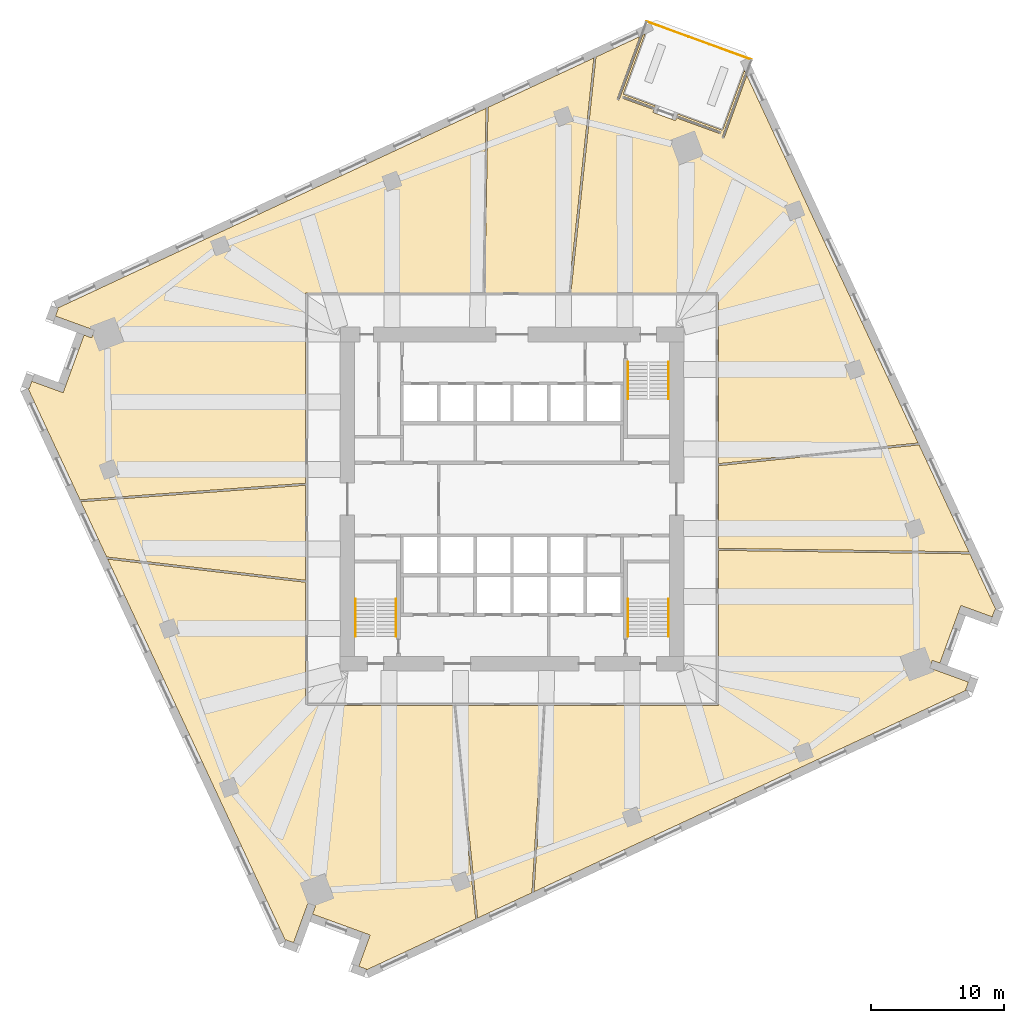
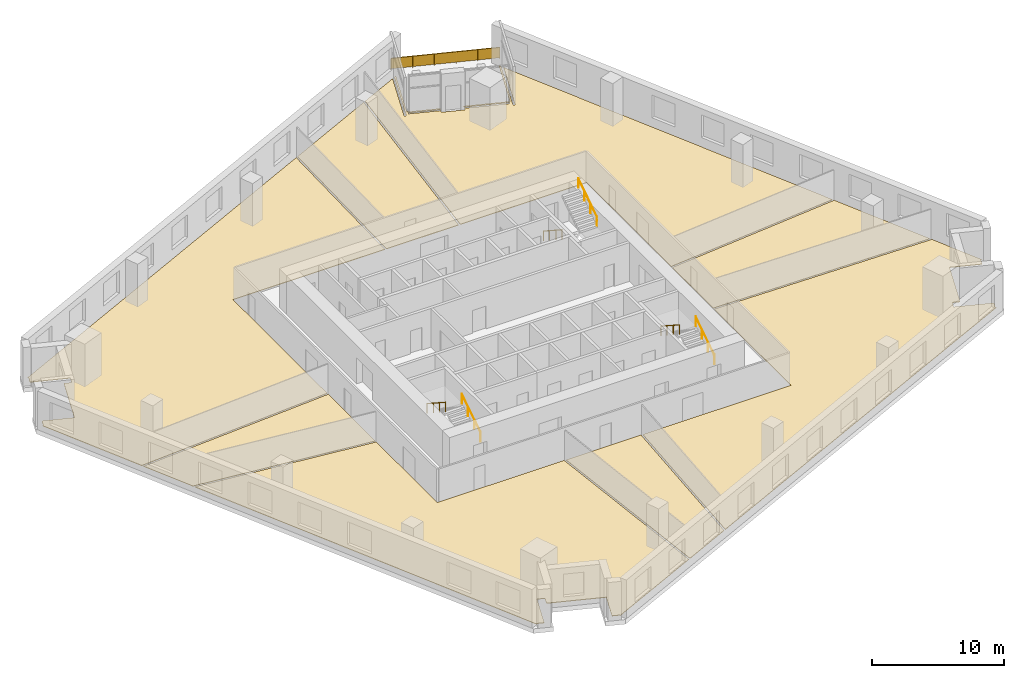
# One storey, part 11 of 12: 8 coverings, 7 railings.
"""IFC4 building model written with IfcOpenShell, lengths in metres."""

from ifc_helpers import new_model, si_unit, direction, frame, origin, origin_2d, place, context, subcontext, project, spatial, polyline, rectangle, circle, outline, extrude, material, layer, layer_set, type_object, element, save


model = new_model("IFC4")

# Units and contexts
model_context = context("Model", 3, precision=1e-05, world=origin(), true_north=direction((0.0, 1.0)))
body_context = subcontext(model_context, "Body", "Model", "MODEL_VIEW")
ifc_project = project(units=[si_unit("LENGTHUNIT", "METRE"), si_unit("AREAUNIT", "SQUARE_METRE"), si_unit("VOLUMEUNIT", "CUBIC_METRE"), si_unit("PLANEANGLEUNIT", "RADIAN"), si_unit("MASSUNIT", "GRAM", prefix="KILO")], contexts=[model_context])

# Site, building, storey
site_placement = place(None, origin())
site = spatial("IfcSite", under=ifc_project, at=site_placement, CompositionType="ELEMENT")
building_placement = place(site_placement, origin())
building = spatial("IfcBuilding", under=site, at=building_placement, Name="Dilmun Exchange Tower", CompositionType="ELEMENT")
storey_placement = place(building_placement, frame((0.0, 0.0, 126.10009765625)))
storey = spatial("IfcBuildingStorey", under=building, at=storey_placement, Name="L29", CompositionType="ELEMENT", Elevation=126.10009765625)

# Coverings
ifc_material_1 = material(Name="Carpet floor finish 50")
ifc_layer_1 = layer(ifc_material_1, 0.050048828125)
ifc_layer_set_1 = layer_set([ifc_layer_1], Name="Carpet floor finish 50")
covering_type_1 = type_object("IfcCoveringType", Name="Carpet floor finish 50", PredefinedType="FLOORING", material=ifc_layer_set_1)
covering_1_placement = place(storey_placement, origin())
element("IfcCovering", 1, at=covering_1_placement, inside=storey, type_object=covering_type_1, Name="Carpet floor finish 50 Meeting room 1", PredefinedType="FLOORING", context=body_context, shape_type="SweptSolid", body=[
    extrude(outline(polyline([(-15.47509765625, 1.041015625), (-15.47509765625, -6.092041015625), (-30.412109375, -4.34228515625), (-32.344970703125, -0.197509765625), (-15.47509765625, 1.041015625)])), origin(), (0.0, 0.0, 1.0), 0.0498046875),
])
covering_2_placement = place(storey_placement, origin())
element("IfcCovering", 2, at=covering_2_placement, inside=storey, type_object=covering_type_1, Name="Carpet floor finish 50 Open office 1", PredefinedType="FLOORING", context=body_context, shape_type="SweptSolid", body=[
    extrude(outline(polyline([(-2.1943359375, 15.47509765625), (-15.47509765625, 15.47509765625), (-15.47509765625, 1.19140625), (-32.412841796875, -0.052001953125), (-36.302001953125, 8.288330078125), (-36.2353515625, 8.26416015625), (-36.235107421875, 8.26416015625), (-36.235107421875, 8.263916015625), (-36.23486328125, 8.263916015625), (-36.234619140625, 8.263916015625), (-36.234375, 8.263916015625), (-36.234130859375, 8.26416015625), (-36.23388671875, 8.26416015625), (-36.23388671875, 8.26416015625), (-36.233642578125, 8.264404296875), (-36.2333984375, 8.264404296875), (-36.2333984375, 8.264404296875), (-36.233154296875, 8.2646484375), (-36.233154296875, 8.264892578125), (-36.23291015625, 8.264892578125), (-36.23291015625, 8.26513671875), (-36.23291015625, 8.265380859375), (-36.0244140625, 8.837890625), (-33.677001953125, 7.9833984375), (-33.677001953125, 7.9833984375), (-33.6767578125, 7.9833984375), (-33.676513671875, 7.9833984375), (-33.67626953125, 7.9833984375), (-33.676025390625, 7.9833984375), (-33.67578125, 7.9833984375), (-33.67578125, 7.9833984375), (-33.675537109375, 7.983642578125), (-33.67529296875, 7.983642578125), (-33.67529296875, 7.98388671875), (-33.675048828125, 7.98388671875), (-33.6748046875, 7.98388671875), (-33.6748046875, 7.984130859375), (-33.6748046875, 7.984375), (-33.674560546875, 7.984619140625), (-33.674560546875, 7.984619140625), (-33.46923828125, 8.548583984375), (-32.10205078125, 12.305419921875), (-31.536865234375, 12.099609375), (-31.53662109375, 12.099609375), (-31.53662109375, 12.099609375), (-31.536376953125, 12.099609375), (-31.5361328125, 12.099609375), (-31.535888671875, 12.099609375), (-31.53564453125, 12.099609375), (-31.535400390625, 12.099609375), (-31.535400390625, 12.099853515625), (-31.53515625, 12.099853515625), (-31.534912109375, 12.10009765625), (-31.534912109375, 12.10009765625), (-31.53466796875, 12.10009765625), (-31.53466796875, 12.100341796875), (-31.534423828125, 12.1005859375), (-31.534423828125, 12.1005859375), (-31.5341796875, 12.100830078125), (-31.3291015625, 12.664794921875), (-31.3291015625, 12.664794921875), (-31.3291015625, 12.6650390625), (-31.3291015625, 12.665283203125), (-31.3291015625, 12.66552734375), (-31.3291015625, 12.665771484375), (-31.3291015625, 12.666015625), (-31.3291015625, 12.666015625), (-31.3291015625, 12.666259765625), (-31.329345703125, 12.66650390625), (-31.329345703125, 12.66650390625), (-31.32958984375, 12.666748046875), (-31.32958984375, 12.6669921875), (-31.329833984375, 12.6669921875), (-31.330078125, 12.6669921875), (-31.330078125, 12.667236328125), (-31.330322265625, 12.667236328125), (-34.24462890625, 13.72802734375), (-34.0361328125, 14.300537109375), (-34.0361328125, 14.30078125), (-34.0361328125, 14.30078125), (-34.0361328125, 14.301025390625), (-34.0361328125, 14.30126953125), (-34.0361328125, 14.301513671875), (-34.0361328125, 14.3017578125), (-34.0361328125, 14.3017578125), (-34.036376953125, 14.302001953125), (-34.036376953125, 14.30224609375), (-34.03662109375, 14.302490234375), (-34.03662109375, 14.302490234375), (-34.03662109375, 14.302734375), (-34.036865234375, 14.302734375), (-34.037109375, 14.302978515625), (-34.037109375, 14.302978515625), (-34.037353515625, 14.302978515625), (-34.10400390625, 14.327392578125), (-1.951171875, 29.320556640625), (-2.1943359375, 15.47509765625)])), origin(), (0.0, 0.0, 1.0), 0.0498046875),
])
covering_3_placement = place(storey_placement, origin())
element("IfcCovering", 3, at=covering_3_placement, inside=storey, type_object=covering_type_1, Name="Carpet floor finish 50 Open office 2", PredefinedType="FLOORING", context=body_context, shape_type="SweptSolid", body=[
    extrude(outline(polyline([(-15.47509765625, -6.2431640625), (-15.47509765625, -15.47509765625), (-4.3623046875, -15.47509765625), (-2.7216796875, -31.49951171875), (-10.9462890625, -35.334716796875), (-10.922119140625, -35.26806640625), (-10.922119140625, -35.267822265625), (-10.921875, -35.267578125), (-10.921875, -35.267578125), (-10.921875, -35.267333984375), (-10.921875, -35.26708984375), (-10.921875, -35.266845703125), (-10.922119140625, -35.2666015625), (-10.922119140625, -35.2666015625), (-10.922119140625, -35.266357421875), (-10.92236328125, -35.26611328125), (-10.92236328125, -35.26611328125), (-10.922607421875, -35.265869140625), (-10.922607421875, -35.265869140625), (-10.9228515625, -35.265625), (-10.923095703125, -35.265625), (-10.923095703125, -35.265380859375), (-11.49560546875, -35.05712890625), (-10.641357421875, -32.709716796875), (-10.641357421875, -32.70947265625), (-10.64111328125, -32.709228515625), (-10.64111328125, -32.708984375), (-10.64111328125, -32.708984375), (-10.64111328125, -32.708740234375), (-10.641357421875, -32.70849609375), (-10.641357421875, -32.708251953125), (-10.641357421875, -32.708251953125), (-10.6416015625, -32.7080078125), (-10.6416015625, -32.707763671875), (-10.6416015625, -32.707763671875), (-10.641845703125, -32.70751953125), (-10.64208984375, -32.70751953125), (-10.64208984375, -32.707275390625), (-10.642333984375, -32.707275390625), (-10.642578125, -32.70703125), (-11.206298828125, -32.501953125), (-11.20654296875, -32.501953125), (-11.206787109375, -32.501708984375), (-11.206787109375, -32.501708984375), (-11.20703125, -32.501708984375), (-14.96337890625, -31.134521484375), (-14.73828125, -30.5166015625), (-14.73828125, -30.516357421875), (-14.73828125, -30.51611328125), (-14.73828125, -30.51611328125), (-14.73828125, -30.515869140625), (-14.73828125, -30.515625), (-14.73828125, -30.515380859375), (-14.73828125, -30.51513671875), (-14.73828125, -30.51513671875), (-14.738525390625, -30.514892578125), (-14.738525390625, -30.5146484375), (-14.73876953125, -30.5146484375), (-14.73876953125, -30.514404296875), (-14.739013671875, -30.514404296875), (-14.7392578125, -30.51416015625), (-14.7392578125, -30.51416015625), (-14.739501953125, -30.513916015625), (-15.30322265625, -30.308837890625), (-15.303466796875, -30.308837890625), (-15.3037109375, -30.30859375), (-15.303955078125, -30.30859375), (-15.30419921875, -30.30859375), (-15.30419921875, -30.30859375), (-15.304443359375, -30.30859375), (-15.3046875, -30.308837890625), (-15.304931640625, -30.308837890625), (-15.304931640625, -30.30908203125), (-15.30517578125, -30.30908203125), (-15.305419921875, -30.30908203125), (-15.305419921875, -30.309326171875), (-15.3056640625, -30.3095703125), (-15.3056640625, -30.309814453125), (-15.305908203125, -30.309814453125), (-15.305908203125, -30.31005859375), (-16.385986328125, -33.277099609375), (-16.95849609375, -33.06884765625), (-16.95849609375, -33.06884765625), (-16.958740234375, -33.068603515625), (-16.958984375, -33.068603515625), (-16.959228515625, -33.068603515625), (-16.95947265625, -33.068603515625), (-16.959716796875, -33.06884765625), (-16.959716796875, -33.06884765625), (-16.9599609375, -33.06884765625), (-16.960205078125, -33.069091796875), (-16.960205078125, -33.069091796875), (-16.96044921875, -33.069091796875), (-16.960693359375, -33.0693359375), (-16.960693359375, -33.069580078125), (-16.960693359375, -33.069580078125), (-16.9609375, -33.06982421875), (-16.9609375, -33.070068359375), (-16.985107421875, -33.13671875), (-30.337646484375, -4.501953125), (-15.47509765625, -6.2431640625)])), origin(), (0.0, 0.0, 1.0), 0.0498046875),
])
covering_4_placement = place(storey_placement, origin())
element("IfcCovering", 4, at=covering_4_placement, inside=storey, type_object=covering_type_1, Name="Carpet floor finish 50 Meeting room 2", PredefinedType="FLOORING", context=body_context, shape_type="SweptSolid", body=[
    extrude(outline(polyline([(-4.21142578125, -15.47509765625), (2.356689453125, -15.47509765625), (1.498291015625, -29.53173828125), (-2.57763671875, -31.432373046875), (-4.21142578125, -15.47509765625)])), origin(), (0.0, 0.0, 1.0), 0.0498046875),
])
covering_5_placement = place(storey_placement, origin())
element("IfcCovering", 5, at=covering_5_placement, inside=storey, type_object=covering_type_1, Name="Carpet floor finish 50 Garden lounge", PredefinedType="FLOORING", context=body_context, shape_type="SweptSolid", body=[
    extrude(outline(polyline([(8.343994140625, 30.3798828125), (10.75146484375, 29.503662109375), (10.70263671875, 29.369384765625), (8.365478515625, 30.219970703125), (8.365234375, 30.219970703125), (8.364990234375, 30.22021484375), (8.364990234375, 30.22021484375), (8.36474609375, 30.22021484375), (8.364501953125, 30.22021484375), (8.3642578125, 30.219970703125), (8.364013671875, 30.219970703125), (8.364013671875, 30.219970703125), (8.36376953125, 30.2197265625), (8.363525390625, 30.2197265625), (8.36328125, 30.219482421875), (8.36328125, 30.219482421875), (8.36328125, 30.21923828125), (8.363037109375, 30.218994140625), (8.363037109375, 30.218994140625), (8.36279296875, 30.21875), (8.30810546875, 30.068359375), (8.30810546875, 30.068115234375), (8.30810546875, 30.068115234375), (8.30810546875, 30.06787109375), (8.30810546875, 30.067626953125), (8.30810546875, 30.0673828125), (8.30810546875, 30.067138671875), (8.30810546875, 30.067138671875), (8.30810546875, 30.06689453125), (8.308349609375, 30.066650390625), (8.308349609375, 30.06640625), (8.30859375, 30.06640625), (8.30859375, 30.066162109375), (8.308837890625, 30.066162109375), (8.30908203125, 30.06591796875), (8.30908203125, 30.06591796875), (8.309326171875, 30.06591796875), (10.646484375, 29.215087890625), (10.572021484375, 29.010498046875), (10.572021484375, 29.01025390625), (10.57177734375, 29.010009765625), (10.57177734375, 29.009765625), (10.57177734375, 29.009521484375), (10.57177734375, 29.009521484375), (10.572021484375, 29.00927734375), (10.572021484375, 29.009033203125), (10.572021484375, 29.0087890625), (10.572021484375, 29.0087890625), (10.572265625, 29.008544921875), (10.572265625, 29.00830078125), (10.572509765625, 29.00830078125), (10.572509765625, 29.008056640625), (10.57275390625, 29.008056640625), (10.572998046875, 29.0078125), (10.572998046875, 29.0078125), (12.264404296875, 28.39208984375), (12.2646484375, 28.39208984375), (12.264892578125, 28.39208984375), (12.26513671875, 28.39208984375), (12.265380859375, 28.39208984375), (12.265380859375, 28.39208984375), (12.265625, 28.39208984375), (12.265869140625, 28.39208984375), (12.26611328125, 28.392333984375), (12.26611328125, 28.392333984375), (12.266357421875, 28.392578125), (12.2666015625, 28.392578125), (12.2666015625, 28.392578125), (12.266845703125, 28.392822265625), (12.266845703125, 28.39306640625), (12.26708984375, 28.393310546875), (12.26708984375, 28.393310546875), (12.341552734375, 28.598388671875), (15.618408203125, 27.405517578125), (15.61865234375, 27.405517578125), (15.618896484375, 27.405517578125), (15.618896484375, 27.405517578125), (15.619140625, 27.405517578125), (15.619384765625, 27.405517578125), (15.61962890625, 27.405517578125), (15.619873046875, 27.405517578125), (15.6201171875, 27.405517578125), (15.6201171875, 27.40576171875), (15.620361328125, 27.40576171875), (15.62060546875, 27.406005859375), (15.62060546875, 27.406005859375), (15.62060546875, 27.40625), (15.620849609375, 27.406494140625), (15.620849609375, 27.406494140625), (15.62109375, 27.40673828125), (15.67578125, 27.55712890625), (15.67578125, 27.557373046875), (15.67578125, 27.5576171875), (15.67578125, 27.5576171875), (15.67578125, 27.557861328125), (15.67578125, 27.55810546875), (15.67578125, 27.558349609375), (15.67578125, 27.558349609375), (15.67578125, 27.55859375), (15.675537109375, 27.558837890625), (15.675537109375, 27.55908203125), (15.67529296875, 27.55908203125), (15.67529296875, 27.55908203125), (15.675048828125, 27.559326171875), (15.6748046875, 27.5595703125), (15.6748046875, 27.5595703125), (15.674560546875, 27.559814453125), (12.397705078125, 28.75244140625), (12.446533203125, 28.88671875), (15.7939453125, 27.66845703125), (17.43408203125, 32.17431640625), (17.519287109375, 31.9912109375), (15.748779296875, 27.126220703125), (15.748779296875, 27.1259765625), (15.74853515625, 27.125732421875), (15.74853515625, 27.12548828125), (15.74853515625, 27.12548828125), (15.74853515625, 27.125244140625), (15.748779296875, 27.125), (15.748779296875, 27.124755859375), (15.748779296875, 27.12451171875), (15.748779296875, 27.12451171875), (15.7490234375, 27.124267578125), (15.7490234375, 27.1240234375), (15.749267578125, 27.1240234375), (15.74951171875, 27.123779296875), (15.74951171875, 27.123779296875), (15.749755859375, 27.123779296875), (15.75, 27.12353515625), (15.900390625, 27.06884765625), (15.900390625, 27.06884765625), (15.900634765625, 27.06884765625), (15.90087890625, 27.068603515625), (15.901123046875, 27.068603515625), (15.9013671875, 27.06884765625), (15.901611328125, 27.06884765625), (15.901611328125, 27.06884765625), (15.90185546875, 27.06884765625), (15.902099609375, 27.069091796875), (15.902099609375, 27.069091796875), (15.90234375, 27.069091796875), (15.902587890625, 27.0693359375), (15.902587890625, 27.069580078125), (15.902587890625, 27.069580078125), (15.90283203125, 27.06982421875), (15.90283203125, 27.070068359375), (17.617431640625, 31.781005859375), (30.473388671875, 4.21142578125), (15.47509765625, 2.656494140625), (15.47509765625, 15.47509765625), (4.414794921875, 15.47509765625), (6.29833984375, 33.167236328125), (9.59033203125, 34.702392578125), (7.875732421875, 29.99169921875), (7.875732421875, 29.991455078125), (7.875732421875, 29.9912109375), (7.875732421875, 29.9912109375), (7.875732421875, 29.990966796875), (7.875732421875, 29.99072265625), (7.875732421875, 29.990478515625), (7.875732421875, 29.990234375), (7.8759765625, 29.989990234375), (7.8759765625, 29.989990234375), (7.876220703125, 29.98974609375), (7.876220703125, 29.989501953125), (7.87646484375, 29.989501953125), (7.87646484375, 29.989501953125), (7.876708984375, 29.9892578125), (7.876953125, 29.9892578125), (7.876953125, 29.989013671875), (8.02734375, 29.934326171875), (8.027587890625, 29.934326171875), (8.02783203125, 29.934326171875), (8.028076171875, 29.93408203125), (8.0283203125, 29.93408203125), (8.0283203125, 29.934326171875), (8.028564453125, 29.934326171875), (8.02880859375, 29.934326171875), (8.02880859375, 29.934326171875), (8.029052734375, 29.9345703125), (8.029296875, 29.9345703125), (8.029296875, 29.934814453125), (8.029541015625, 29.934814453125), (8.02978515625, 29.93505859375), (8.02978515625, 29.935302734375), (8.02978515625, 29.935302734375), (8.030029296875, 29.935546875), (9.800537109375, 34.800537109375), (9.98388671875, 34.885986328125), (8.343994140625, 30.3798828125)])), origin(), (0.0, 0.0, 1.0), 0.0498046875),
])
covering_6_placement = place(storey_placement, origin())
element("IfcCovering", 6, at=covering_6_placement, inside=storey, type_object=covering_type_1, Name="Carpet floor finish 50 Open office 3", PredefinedType="FLOORING", context=body_context, shape_type="SweptSolid", body=[
    extrude(outline(polyline([(2.5068359375, -15.47509765625), (15.47509765625, -15.47509765625), (15.47509765625, -3.84423828125), (34.35302734375, -4.10888671875), (36.302001953125, -8.288330078125), (36.2353515625, -8.26416015625), (36.235107421875, -8.26416015625), (36.235107421875, -8.263916015625), (36.23486328125, -8.263916015625), (36.234619140625, -8.263916015625), (36.234375, -8.263916015625), (36.234130859375, -8.26416015625), (36.23388671875, -8.26416015625), (36.23388671875, -8.26416015625), (36.233642578125, -8.264404296875), (36.2333984375, -8.264404296875), (36.2333984375, -8.264404296875), (36.233154296875, -8.2646484375), (36.233154296875, -8.264892578125), (36.23291015625, -8.264892578125), (36.23291015625, -8.26513671875), (36.23291015625, -8.265380859375), (36.0244140625, -8.837890625), (33.677001953125, -7.9833984375), (33.677001953125, -7.9833984375), (33.6767578125, -7.9833984375), (33.676513671875, -7.9833984375), (33.67626953125, -7.9833984375), (33.676025390625, -7.9833984375), (33.67578125, -7.9833984375), (33.67578125, -7.9833984375), (33.675537109375, -7.983642578125), (33.67529296875, -7.983642578125), (33.67529296875, -7.98388671875), (33.675048828125, -7.98388671875), (33.6748046875, -7.98388671875), (33.6748046875, -7.984130859375), (33.6748046875, -7.984375), (33.674560546875, -7.984619140625), (33.674560546875, -7.984619140625), (33.46923828125, -8.548583984375), (32.10205078125, -12.305419921875), (31.536865234375, -12.099609375), (31.53662109375, -12.099609375), (31.53662109375, -12.099609375), (31.536376953125, -12.099609375), (31.5361328125, -12.099609375), (31.535888671875, -12.099609375), (31.53564453125, -12.099609375), (31.535400390625, -12.099609375), (31.535400390625, -12.099853515625), (31.53515625, -12.099853515625), (31.534912109375, -12.10009765625), (31.534912109375, -12.10009765625), (31.53466796875, -12.10009765625), (31.53466796875, -12.100341796875), (31.534423828125, -12.1005859375), (31.534423828125, -12.1005859375), (31.5341796875, -12.100830078125), (31.3291015625, -12.664794921875), (31.3291015625, -12.664794921875), (31.3291015625, -12.6650390625), (31.3291015625, -12.665283203125), (31.3291015625, -12.66552734375), (31.3291015625, -12.665771484375), (31.3291015625, -12.666015625), (31.3291015625, -12.666015625), (31.3291015625, -12.666259765625), (31.329345703125, -12.66650390625), (31.329345703125, -12.66650390625), (31.32958984375, -12.666748046875), (31.32958984375, -12.6669921875), (31.329833984375, -12.6669921875), (31.330078125, -12.6669921875), (31.330078125, -12.667236328125), (31.330322265625, -12.667236328125), (34.24462890625, -13.72802734375), (34.0361328125, -14.300537109375), (34.0361328125, -14.30078125), (34.0361328125, -14.30078125), (34.0361328125, -14.301025390625), (34.0361328125, -14.30126953125), (34.0361328125, -14.301513671875), (34.0361328125, -14.3017578125), (34.0361328125, -14.3017578125), (34.036376953125, -14.302001953125), (34.036376953125, -14.30224609375), (34.03662109375, -14.302490234375), (34.03662109375, -14.302490234375), (34.03662109375, -14.302734375), (34.036865234375, -14.302734375), (34.037109375, -14.302978515625), (34.037109375, -14.302978515625), (34.037353515625, -14.302978515625), (34.10400390625, -14.327392578125), (1.653076171875, -29.459716796875), (2.5068359375, -15.47509765625)])), origin(), (0.0, 0.0, 1.0), 0.0498046875),
])

# Railings
ifc_material_2 = material(Name="Stainless steel", Category="steel")
railing_type_1 = type_object("IfcRailingType", Name="Stair handrail 900", PredefinedType="HANDRAIL", material=ifc_material_2)
railing_1_placement = place(storey_placement, frame((8.699951171875, 10.300048828125, 0.181640625)))
element("IfcRailing", 7, at=railing_1_placement, inside=storey, type_object=railing_type_1, Name="L29 ST1 stair handrail 1", PredefinedType="HANDRAIL", context=body_context, shape_type="SweptSolid", body=[
    extrude(circle(Radius=0.02392578125, at=origin_2d()), frame((0.0, 0.0, 0.8759765625), z_axis=(0.0, -0.838672427954, 0.544636170843), x_axis=(1.0, 0.0, 0.0)), (0.0, 0.0, 1.0), 3.338623046875),
    extrude(circle(Radius=0.02099609375, at=origin_2d()), origin(), (0.0, 0.0, 1.0), 0.851806640625),
    extrude(circle(Radius=0.02099609375, at=origin_2d()), frame((0.0, -0.933349609375, 0.606201171875)), (0.0, 0.0, 1.0), 0.851806640625),
    extrude(circle(Radius=0.02099609375, at=origin_2d()), frame((0.0, -1.86669921875, 1.212158203125)), (0.0, 0.0, 1.0), 0.851806640625),
    extrude(circle(Radius=0.02099609375, at=origin_2d()), frame((0.0, -2.800048828125, 1.818359375)), (0.0, 0.0, 1.0), 0.851806640625),
])
for number, where, name in (
    (8, (11.75, 7.5, 2.181640625), "L29 ST1 stair handrail 2"),
    (9, (-8.699951171875, -10.300048828125, 0.181640625), "L29 ST2 stair handrail 1"),
):
    element("IfcRailing", number, at=place(storey_placement, frame(where)), inside=storey, type_object=railing_type_1, Name=name, PredefinedType="HANDRAIL", context=body_context, shape_type="SweptSolid", body=[
        extrude(circle(Radius=0.02392578125, at=origin_2d()), frame((0.0, 0.0, 0.8759765625), z_axis=(0.0, 0.838672427954, 0.544636170843), x_axis=(-1.0, 0.0, 0.0)), (0.0, 0.0, 1.0), 3.338623046875),
        extrude(circle(Radius=0.02099609375, at=origin_2d()), origin(), (0.0, 0.0, 1.0), 0.851806640625),
        extrude(circle(Radius=0.02099609375, at=origin_2d()), frame((0.0, 0.933349609375, 0.606201171875)), (0.0, 0.0, 1.0), 0.851806640625),
        extrude(circle(Radius=0.02099609375, at=origin_2d()), frame((0.0, 1.86669921875, 1.212158203125)), (0.0, 0.0, 1.0), 0.851806640625),
        extrude(circle(Radius=0.02099609375, at=origin_2d()), frame((0.0, 2.800048828125, 1.818359375)), (0.0, 0.0, 1.0), 0.851806640625),
    ])
railing_2_placement = place(storey_placement, frame((-11.75, -7.5, 2.181640625)))
element("IfcRailing", 10, at=railing_2_placement, inside=storey, type_object=railing_type_1, Name="L29 ST2 stair handrail 2", PredefinedType="HANDRAIL", context=body_context, shape_type="SweptSolid", body=[
    extrude(circle(Radius=0.02392578125, at=origin_2d()), frame((0.0, 0.0, 0.8759765625), z_axis=(0.0, -0.838672427954, 0.544636170843), x_axis=(1.0, 0.0, 0.0)), (0.0, 0.0, 1.0), 3.338623046875),
    extrude(circle(Radius=0.02099609375, at=origin_2d()), origin(), (0.0, 0.0, 1.0), 0.851806640625),
    extrude(circle(Radius=0.02099609375, at=origin_2d()), frame((0.0, -0.933349609375, 0.606201171875)), (0.0, 0.0, 1.0), 0.851806640625),
    extrude(circle(Radius=0.02099609375, at=origin_2d()), frame((0.0, -1.86669921875, 1.212158203125)), (0.0, 0.0, 1.0), 0.851806640625),
    extrude(circle(Radius=0.02099609375, at=origin_2d()), frame((0.0, -2.800048828125, 1.818359375)), (0.0, 0.0, 1.0), 0.851806640625),
])
railing_3_placement = place(storey_placement, frame((11.75, -10.300048828125, 0.181640625)))
element("IfcRailing", 11, at=railing_3_placement, inside=storey, type_object=railing_type_1, Name="L29 ST3 stair handrail 1", PredefinedType="HANDRAIL", context=body_context, shape_type="SweptSolid", body=[
    extrude(circle(Radius=0.02392578125, at=origin_2d()), frame((0.0, 0.0, 0.8759765625), z_axis=(0.0, 0.838672427954, 0.544636170843), x_axis=(-1.0, 0.0, 0.0)), (0.0, 0.0, 1.0), 3.338623046875),
    extrude(circle(Radius=0.02099609375, at=origin_2d()), origin(), (0.0, 0.0, 1.0), 0.851806640625),
    extrude(circle(Radius=0.02099609375, at=origin_2d()), frame((0.0, 0.933349609375, 0.606201171875)), (0.0, 0.0, 1.0), 0.851806640625),
    extrude(circle(Radius=0.02099609375, at=origin_2d()), frame((0.0, 1.86669921875, 1.212158203125)), (0.0, 0.0, 1.0), 0.851806640625),
    extrude(circle(Radius=0.02099609375, at=origin_2d()), frame((0.0, 2.800048828125, 1.818359375)), (0.0, 0.0, 1.0), 0.851806640625),
])
railing_4_placement = place(storey_placement, frame((8.699951171875, -7.5, 2.181640625)))
element("IfcRailing", 12, at=railing_4_placement, inside=storey, type_object=railing_type_1, Name="L29 ST3 stair handrail 2", PredefinedType="HANDRAIL", context=body_context, shape_type="SweptSolid", body=[
    extrude(circle(Radius=0.02392578125, at=origin_2d()), frame((0.0, 0.0, 0.8759765625), z_axis=(0.0, -0.838672427954, 0.544636170843), x_axis=(1.0, 0.0, 0.0)), (0.0, 0.0, 1.0), 3.338623046875),
    extrude(circle(Radius=0.02099609375, at=origin_2d()), origin(), (0.0, 0.0, 1.0), 0.851806640625),
    extrude(circle(Radius=0.02099609375, at=origin_2d()), frame((0.0, -0.933349609375, 0.606201171875)), (0.0, 0.0, 1.0), 0.851806640625),
    extrude(circle(Radius=0.02099609375, at=origin_2d()), frame((0.0, -1.86669921875, 1.212158203125)), (0.0, 0.0, 1.0), 0.851806640625),
    extrude(circle(Radius=0.02099609375, at=origin_2d()), frame((0.0, -2.800048828125, 1.818359375)), (0.0, 0.0, 1.0), 0.851806640625),
])

# Coverings
ifc_material_3 = material(Name="Stone floor finish 50", Category="masonry")
ifc_layer_2 = layer(ifc_material_3, 0.050048828125)
ifc_layer_set_2 = layer_set([ifc_layer_2], Name="Stone floor finish 50")
covering_type_2 = type_object("IfcCoveringType", Name="Stone floor finish 50", PredefinedType="FLOORING", material=ifc_layer_set_2)
covering_7_placement = place(storey_placement, origin())
element("IfcCovering", 13, at=covering_7_placement, inside=storey, type_object=covering_type_2, Name="Stone floor finish 50 Reception 1", PredefinedType="FLOORING", context=body_context, shape_type="SweptSolid", body=[
    extrude(outline(polyline([(4.263916015625, 15.47509765625), (-2.04443359375, 15.47509765625), (-1.800048828125, 29.39111328125), (6.1396484375, 33.09326171875), (4.263916015625, 15.47509765625)])), origin(), (0.0, 0.0, 1.0), 0.0498046875),
])
covering_8_placement = place(storey_placement, origin())
element("IfcCovering", 14, at=covering_8_placement, inside=storey, type_object=covering_type_2, Name="Stone floor finish 50 Reception 2", PredefinedType="FLOORING", context=body_context, shape_type="SweptSolid", body=[
    extrude(outline(polyline([(15.47509765625, -3.6943359375), (15.47509765625, 2.505615234375), (30.540283203125, 4.0673828125), (34.28271484375, -3.9580078125), (15.47509765625, -3.6943359375)])), origin(), (0.0, 0.0, 1.0), 0.0498046875),
])

# Railing
railing_type_2 = type_object("IfcRailingType", Name="Terrace guard 1100 stainless steel", PredefinedType="GUARDRAIL", material=ifc_material_2)
railing_5_placement = place(storey_placement, frame((10.08935546875, 35.83349609375, 0.0)))
element("IfcRailing", 15, at=railing_5_placement, inside=storey, type_object=railing_type_2, Name="Terrace guard 1", PredefinedType="GUARDRAIL", context=body_context, shape_type="SweptSolid", body=[
    extrude(circle(Radius=0.02392578125, at=origin_2d()), frame((0.0, 0.0, 1.076171875), z_axis=(0.939692135128, -0.342021477657, 0.0), x_axis=(0.342021477657, 0.939692135128, 0.0)), (0.0, 0.0, 1.0), 8.378173828125),
    extrude(rectangle(XDim=0.011962890625, YDim=0.951904296875, at=origin_2d()), frame((0.0, 0.0, 0.576171875), z_axis=(0.939692135128, -0.342021477657, 0.0), x_axis=(0.342021477657, 0.939692135128, 0.0)), (0.0, 0.0, 1.0), 8.378173828125),
    extrude(circle(Radius=0.02099609375, at=origin_2d()), origin(), (0.0, 0.0, 1.0), 1.052001953125),
    extrude(circle(Radius=0.02099609375, at=origin_2d()), frame((1.574462890625, -0.572998046875, 0.0)), (0.0, 0.0, 1.0), 1.052001953125),
    extrude(circle(Radius=0.02099609375, at=origin_2d()), frame((3.149169921875, -1.146240234375, 0.0)), (0.0, 0.0, 1.0), 1.052001953125),
    extrude(circle(Radius=0.02099609375, at=origin_2d()), frame((4.7236328125, -1.71923828125, 0.0)), (0.0, 0.0, 1.0), 1.052001953125),
    extrude(circle(Radius=0.02099609375, at=origin_2d()), frame((6.29833984375, -2.29248046875, 0.0)), (0.0, 0.0, 1.0), 1.052001953125),
    extrude(circle(Radius=0.02099609375, at=origin_2d()), frame((7.872802734375, -2.865478515625, 0.0)), (0.0, 0.0, 1.0), 1.052001953125),
])

save(model, "model.ifc")
